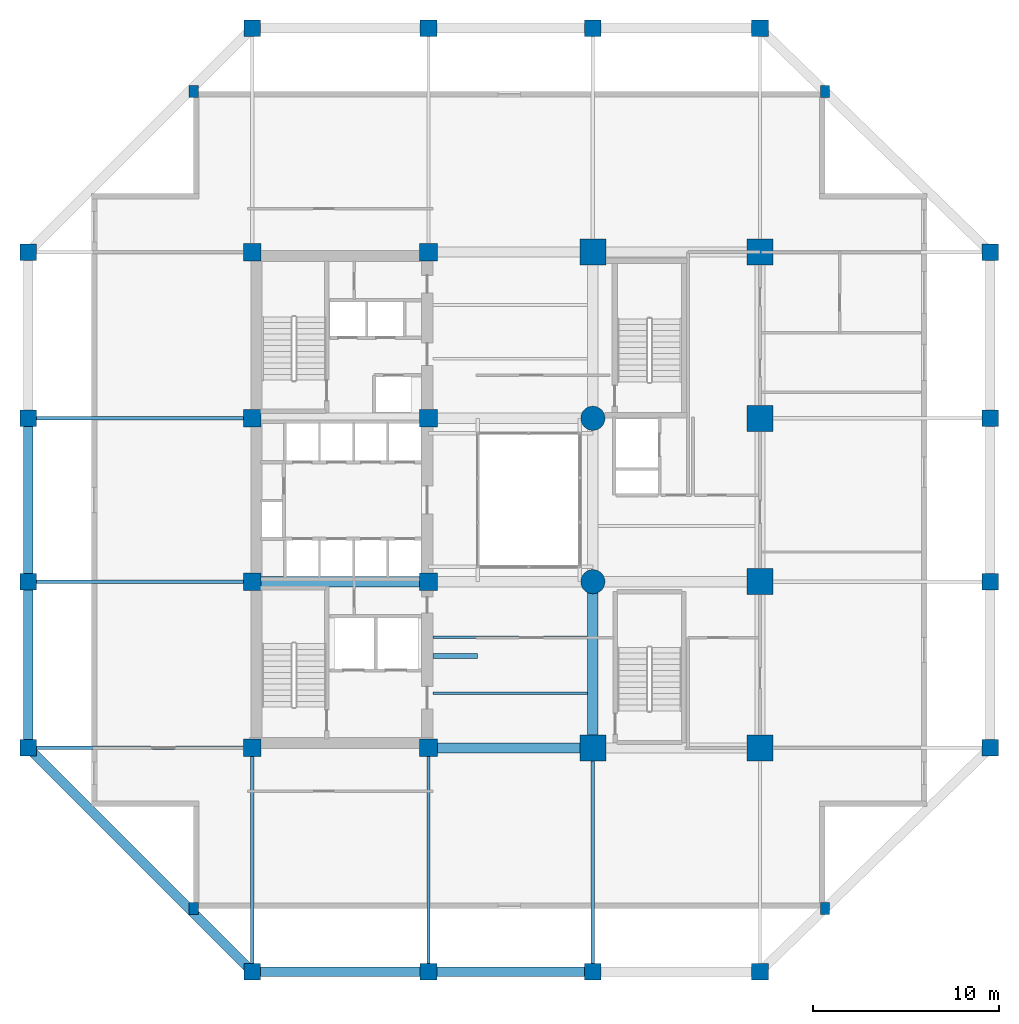
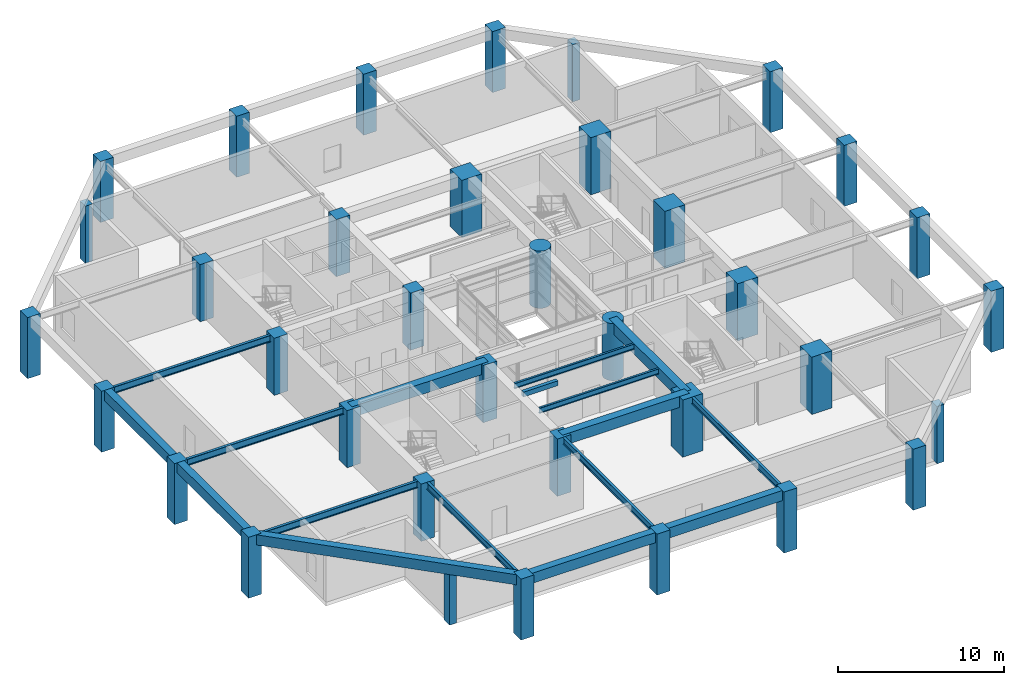
# One storey, part 1 of 10: 36 columns, 17 beams.
"""IFC4 building model written with IfcOpenShell, lengths in metres."""

from ifc_helpers import new_model, si_unit, direction, frame, origin, origin_2d, place, context, subcontext, project, spatial, rectangle, circle, i_section, extrude, material, material_profile, profile_set, type_object, element, save


model = new_model("IFC4")

# Units and contexts
model_context = context("Model", 3, precision=1e-05, world=origin(), true_north=direction((0.0, 1.0)))
body_context = subcontext(model_context, "Body", "Model", "MODEL_VIEW")
ifc_project = project(units=[si_unit("LENGTHUNIT", "METRE"), si_unit("AREAUNIT", "SQUARE_METRE"), si_unit("VOLUMEUNIT", "CUBIC_METRE"), si_unit("PLANEANGLEUNIT", "RADIAN"), si_unit("MASSUNIT", "GRAM", prefix="KILO")], contexts=[model_context])

# Site, building, storey
site_placement = place(None, origin())
site = spatial("IfcSite", under=ifc_project, at=site_placement, CompositionType="ELEMENT")
building_placement = place(site_placement, origin())
building = spatial("IfcBuilding", under=site, at=building_placement, Name="Kundavana Baori Tower", CompositionType="ELEMENT")
storey_placement = place(building_placement, frame((0.0, 0.0, 12.5)))
storey = spatial("IfcBuildingStorey", under=building, at=storey_placement, Name="L02", CompositionType="ELEMENT", Elevation=12.5)

# Columns
ifc_material_1 = material(Name="Concrete C60/75", Category="concrete")
ifc_material_profile_1 = material_profile(ifc_material_1, rectangle(XDim=0.89990234375, YDim=0.89990234375, at=origin_2d()), Name="RC PF 900x900")
ifc_profile_set_1 = profile_set([ifc_material_profile_1], Name="Concrete C60/75")
column_type_1 = type_object("IfcColumnType", Name="COL-PF-900", PredefinedType="COLUMN", material=ifc_profile_set_1)
for number, where, z_axis, x_axis, name in (
    (1, (15.449951171875, 3.199951171875, 0.0), (0.0, 0.0, 1.0), (1.0, 0.0, 0.0), "L02 Stone-Clad Perimeter Frame Column PF-S1"),
    (2, (15.449951171875, 54.0, 0.0), (0.0, 0.0, 1.0), (1.0, 0.0, 0.0), "L02 Stone-Clad Perimeter Frame Column PF-N1"),
    (3, (24.949951171875, 3.199951171875, 0.0), (0.0, 0.0, 1.0), (1.0, 0.0, 0.0), "L02 Stone-Clad Perimeter Frame Column PF-S2"),
    (4, (24.949951171875, 54.0, 0.0), (0.0, 0.0, 1.0), (1.0, 0.0, 0.0), "L02 Stone-Clad Perimeter Frame Column PF-N2"),
    (5, (33.800048828125, 3.199951171875, 0.0), (0.0, 0.0, 1.0), (1.0, 0.0, 0.0), "L02 Stone-Clad Perimeter Frame Column PF-S3"),
    (6, (33.800048828125, 54.0, 0.0), (0.0, 0.0, 1.0), (1.0, 0.0, 0.0), "L02 Stone-Clad Perimeter Frame Column PF-N3"),
    (7, (42.800048828125, 3.199951171875, 0.0), (0.0, 0.0, 1.0), (1.0, 0.0, 0.0), "L02 Stone-Clad Perimeter Frame Column PF-S4"),
    (8, (42.800048828125, 54.0, 0.0), (0.0, 0.0, 1.0), (1.0, 0.0, 0.0), "L02 Stone-Clad Perimeter Frame Column PF-N4"),
    (9, (3.39990234375, 15.25, 0.0), (0.0, 0.0, 1.0), (1.0, 0.0, 0.0), "L02 Stone-Clad Perimeter Frame Column PF-W1"),
    (10, (55.199951171875, 15.25, 0.0), (0.0, 0.0, 1.0), (1.0, 0.0, 0.0), "L02 Stone-Clad Perimeter Frame Column PF-E1"),
    (11, (3.39990234375, 24.199951171875, 0.0), (0.0, 0.0, 1.0), (1.0, 0.0, 0.0), "L02 Stone-Clad Perimeter Frame Column PF-W2"),
    (12, (55.199951171875, 24.199951171875, 0.0), (0.0, 0.0, 1.0), (1.0, 0.0, 0.0), "L02 Stone-Clad Perimeter Frame Column PF-E2"),
    (13, (3.39990234375, 33.0, 0.0), (0.0, 0.0, 1.0), (1.0, 0.0, 0.0), "L02 Stone-Clad Perimeter Frame Column PF-W3"),
    (14, (55.199951171875, 33.0, 0.0), (0.0, 0.0, 1.0), (1.0, 0.0, 0.0), "L02 Stone-Clad Perimeter Frame Column PF-E3"),
    (15, (3.39990234375, 41.949951171875, 0.0), (0.0, 0.0, 1.0), (1.0, 0.0, 0.0), "L02 Stone-Clad Perimeter Frame Column PF-W4"),
    (16, (55.199951171875, 41.949951171875, 0.0), (0.0, 0.0, 1.0), (1.0, 0.0, 0.0), "L02 Stone-Clad Perimeter Frame Column PF-E4"),
):
    element("IfcColumn", number, at=place(storey_placement, frame(where, z_axis=z_axis, x_axis=x_axis)), inside=storey, type_object=column_type_1, Name=name, PredefinedType="COLUMN", context=body_context, shape_type="SweptSolid", body=[
        extrude(rectangle(XDim=0.89990234375, YDim=0.89990234375, at=origin_2d()), origin(), (0.0, 0.0, 1.0), 4.5),
    ])
ifc_material_2 = material(Name="Concrete C50/60", Category="concrete")
ifc_material_profile_2 = material_profile(ifc_material_2, rectangle(XDim=0.5, YDim=0.64990234375, at=origin_2d()), Name="RC PIL 500x650")
ifc_profile_set_2 = profile_set([ifc_material_profile_2], Name="Concrete C50/60")
column_type_2 = type_object("IfcColumnType", Name="COL-PIL-500", PredefinedType="PILASTER", material=ifc_profile_set_2)
for number, where, z_axis, x_axis, name in (
    (17, (12.300048828125, 6.60009765625, 0.0), (0.0, 0.0, 1.0), (1.0, 0.0, 0.0), "L02 Corner Notch Pilaster 1"),
    (18, (46.300048828125, 6.60009765625, 0.0), (0.0, 0.0, 1.0), (1.0, 0.0, 0.0), "L02 Corner Notch Pilaster 2"),
    (19, (46.300048828125, 50.60009765625, 0.0), (0.0, 0.0, 1.0), (1.0, 0.0, 0.0), "L02 Corner Notch Pilaster 3"),
    (20, (12.300048828125, 50.60009765625, 0.0), (0.0, 0.0, 1.0), (1.0, 0.0, 0.0), "L02 Corner Notch Pilaster 4"),
):
    element("IfcColumn", number, at=place(storey_placement, frame(where, z_axis=z_axis, x_axis=x_axis)), inside=storey, type_object=column_type_2, Name=name, PredefinedType="PILASTER", context=body_context, shape_type="SweptSolid", body=[
        extrude(rectangle(XDim=0.5, YDim=0.64990234375, at=origin_2d()), origin(), (0.0, 0.0, 1.0), 4.219970703125),
    ])
ifc_material_3 = material(Name="Concrete C60/75", Category="concrete")
ifc_material_profile_3 = material_profile(ifc_material_3, rectangle(XDim=1.39990234375, YDim=1.39990234375, at=origin_2d()), Name="RC 1400x1400")
ifc_profile_set_3 = profile_set([ifc_material_profile_3], Name="Concrete C60/75")
column_type_3 = type_object("IfcColumnType", Name="COL-RC-1400", PredefinedType="COLUMN", material=ifc_profile_set_3)
for number, where, z_axis, x_axis, name in (
    (21, (33.800048828125, 15.25, 0.0), (0.0, 0.0, 1.0), (1.0, 0.0, 0.0), "L02 Interior Column IC-5C"),
    (22, (33.800048828125, 41.949951171875, 0.0), (0.0, 0.0, 1.0), (1.0, 0.0, 0.0), "L02 Interior Column IC-5F"),
    (23, (42.800048828125, 15.25, 0.0), (0.0, 0.0, 1.0), (1.0, 0.0, 0.0), "L02 Interior Column IC-6C"),
    (24, (42.800048828125, 24.199951171875, 0.0), (0.0, 0.0, 1.0), (1.0, 0.0, 0.0), "L02 Interior Column IC-6D"),
    (25, (42.800048828125, 33.0, 0.0), (0.0, 0.0, 1.0), (1.0, 0.0, 0.0), "L02 Interior Column IC-6E"),
    (26, (42.800048828125, 41.949951171875, 0.0), (0.0, 0.0, 1.0), (1.0, 0.0, 0.0), "L02 Interior Column IC-6F"),
):
    element("IfcColumn", number, at=place(storey_placement, frame(where, z_axis=z_axis, x_axis=x_axis)), inside=storey, type_object=column_type_3, Name=name, PredefinedType="COLUMN", context=body_context, shape_type="SweptSolid", body=[
        extrude(rectangle(XDim=1.39990234375, YDim=1.39990234375, at=origin_2d()), origin(), (0.0, 0.0, 1.0), 4.219970703125),
    ])
ifc_material_4 = material(Name="Concrete C50/60", Category="concrete")
ifc_material_profile_4 = material_profile(ifc_material_4, rectangle(XDim=0.949951171875, YDim=0.949951171875, at=origin_2d()), Name="RC 950x950")
ifc_profile_set_4 = profile_set([ifc_material_profile_4], Name="Concrete C50/60")
column_type_4 = type_object("IfcColumnType", Name="COL-RC-950", PredefinedType="COLUMN", material=ifc_profile_set_4)
for number, where, z_axis, x_axis, name in (
    (27, (15.449951171875, 15.25, 0.0), (0.0, 0.0, 1.0), (1.0, 0.0, 0.0), "L02 Interior Column IC-3C"),
    (28, (15.449951171875, 24.199951171875, 0.0), (0.0, 0.0, 1.0), (1.0, 0.0, 0.0), "L02 Interior Column IC-3D"),
    (29, (15.449951171875, 33.0, 0.0), (0.0, 0.0, 1.0), (1.0, 0.0, 0.0), "L02 Interior Column IC-3E"),
    (30, (15.449951171875, 41.949951171875, 0.0), (0.0, 0.0, 1.0), (1.0, 0.0, 0.0), "L02 Interior Column IC-3F"),
    (31, (24.949951171875, 15.25, 0.0), (0.0, 0.0, 1.0), (1.0, 0.0, 0.0), "L02 Interior Column IC-4C"),
    (32, (24.949951171875, 24.199951171875, 0.0), (0.0, 0.0, 1.0), (1.0, 0.0, 0.0), "L02 Interior Column IC-4D"),
    (33, (24.949951171875, 33.0, 0.0), (0.0, 0.0, 1.0), (1.0, 0.0, 0.0), "L02 Interior Column IC-4E"),
    (34, (24.949951171875, 41.949951171875, 0.0), (0.0, 0.0, 1.0), (1.0, 0.0, 0.0), "L02 Interior Column IC-4F"),
):
    element("IfcColumn", number, at=place(storey_placement, frame(where, z_axis=z_axis, x_axis=x_axis)), inside=storey, type_object=column_type_4, Name=name, PredefinedType="COLUMN", context=body_context, shape_type="SweptSolid", body=[
        extrude(rectangle(XDim=0.949951171875, YDim=0.949951171875, at=origin_2d()), origin(), (0.0, 0.0, 1.0), 4.219970703125),
    ])
ifc_material_5 = material(Name="Concrete C60/75", Category="concrete")
ifc_material_profile_5 = material_profile(ifc_material_5, circle(Radius=0.64990234375, at=origin_2d()), Name="RC D1300")
ifc_profile_set_5 = profile_set([ifc_material_profile_5], Name="Concrete C60/75")
column_type_5 = type_object("IfcColumnType", Name="COL-RC-D1300", PredefinedType="COLUMN", material=ifc_profile_set_5)
for number, where, z_axis, x_axis, name in (
    (35, (33.800048828125, 24.199951171875, 0.0), (0.0, 0.0, 1.0), (1.0, 0.0, 0.0), "L02 Interior Column IC-5D"),
    (36, (33.800048828125, 33.0, 0.0), (0.0, 0.0, 1.0), (1.0, 0.0, 0.0), "L02 Interior Column IC-5E"),
):
    element("IfcColumn", number, at=place(storey_placement, frame(where, z_axis=z_axis, x_axis=x_axis)), inside=storey, type_object=column_type_5, Name=name, PredefinedType="COLUMN", context=body_context, shape_type="SweptSolid", body=[
        extrude(circle(Radius=0.64990234375, at=origin_2d()), origin(), (0.0, 0.0, 1.0), 4.219970703125),
    ])

# Beams
ifc_material_6 = material(Name="Structural Steel S355JR", Category="steel")
ifc_material_profile_6 = material_profile(ifc_material_6, i_section(OverallWidth=0.139892578125, OverallDepth=0.39990234375, WebThickness=0.0087890625, FlangeThickness=0.01611328125, FilletRadius=0.013916015625, at=origin_2d()), Name="ISMB 400")
ifc_profile_set_6 = profile_set([ifc_material_profile_6], Name="Structural Steel S355JR")
beam_type_1 = type_object("IfcBeamType", Name="BM-JST-400", PredefinedType="JOIST", material=ifc_profile_set_6)
for number, where, z_axis, x_axis, name in (
    (37, (25.179931640625, 18.199951171875, 4.02001953125), (1.0, 0.0, 0.0), (0.0, 1.0, 0.0), "L02 Central Bay Composite Floor Joist C1"),
    (38, (25.179931640625, 21.199951171875, 4.02001953125), (1.0, 0.0, 0.0), (0.0, 1.0, 0.0), "L02 Central Bay Composite Floor Joist C2"),
):
    element("IfcBeam", number, at=place(storey_placement, frame(where, z_axis=z_axis, x_axis=x_axis)), inside=storey, type_object=beam_type_1, Name=name, PredefinedType="JOIST", context=body_context, shape_type="SweptSolid", body=[
        extrude(i_section(OverallWidth=0.139892578125, OverallDepth=0.39990234375, WebThickness=0.0087890625, FlangeThickness=0.01611328125, FilletRadius=0.013916015625, at=origin_2d()), origin(), (0.0, 0.0, 1.0), 8.344970703125),
    ])
ifc_material_7 = material(Name="Concrete C40/50", Category="concrete")
ifc_material_profile_7 = material_profile(ifc_material_7, rectangle(XDim=0.25, YDim=0.35009765625, at=origin_2d()), Name="RC LNT 250x350")
ifc_profile_set_7 = profile_set([ifc_material_profile_7], Name="Concrete C40/50")
beam_type_2 = type_object("IfcBeamType", Name="BM-LNT-350", PredefinedType="LINTEL", material=ifc_profile_set_7)
beam_1_placement = place(storey_placement, frame((25.179931640625, 20.199951171875, 4.044921875), z_axis=(1.0, 0.0, 0.0), x_axis=(0.0, 1.0, 0.0)))
element("IfcBeam", 39, at=beam_1_placement, inside=storey, type_object=beam_type_2, Name="L02 Atrium Gallery Portal Lintel Beam", PredefinedType="LINTEL", context=body_context, shape_type="SweptSolid", body=[
    extrude(rectangle(XDim=0.25, YDim=0.35009765625, at=origin_2d()), origin(), (0.0, 0.0, 1.0), 2.420166015625),
])
ifc_material_8 = material(Name="Concrete C50/60", Category="concrete")
ifc_material_profile_8 = material_profile(ifc_material_8, rectangle(XDim=0.5, YDim=0.75, at=origin_2d()), Name="RC BM 500x750")
ifc_profile_set_8 = profile_set([ifc_material_profile_8], Name="Concrete C50/60")
beam_type_3 = type_object("IfcBeamType", Name="BM-PF-750", PredefinedType="SPANDREL", material=ifc_profile_set_8)
beam_2_placement = place(storey_placement, frame((15.449951171875, 3.199951171875, 4.125), z_axis=(1.0, 0.0, 0.0), x_axis=(0.0, 1.0, 0.0)))
element("IfcBeam", 40, at=beam_2_placement, inside=storey, type_object=beam_type_3, Name="L02 Perimeter Frame Ring Beam S1", PredefinedType="SPANDREL", context=body_context, shape_type="SweptSolid", body=[
    extrude(rectangle(XDim=0.5, YDim=0.75, at=origin_2d()), origin(), (0.0, 0.0, 1.0), 9.5),
])
beam_3_placement = place(storey_placement, frame((24.949951171875, 3.199951171875, 4.125), z_axis=(1.0, 0.0, 0.0), x_axis=(0.0, 1.0, 0.0)))
element("IfcBeam", 41, at=beam_3_placement, inside=storey, type_object=beam_type_3, Name="L02 Perimeter Frame Ring Beam S2", PredefinedType="SPANDREL", context=body_context, shape_type="SweptSolid", body=[
    extrude(rectangle(XDim=0.5, YDim=0.75, at=origin_2d()), origin(), (0.0, 0.0, 1.0), 8.85009765625),
])
beam_4_placement = place(storey_placement, frame((3.39990234375, 15.25, 4.125), z_axis=(0.0, 1.0, 0.0), x_axis=(-1.0, 0.0, 0.0)))
element("IfcBeam", 42, at=beam_4_placement, inside=storey, type_object=beam_type_3, Name="L02 Perimeter Frame Ring Beam W1", PredefinedType="SPANDREL", context=body_context, shape_type="SweptSolid", body=[
    extrude(rectangle(XDim=0.5, YDim=0.75, at=origin_2d()), origin(), (0.0, 0.0, 1.0), 8.949951171875),
])
beam_5_placement = place(storey_placement, frame((3.39990234375, 24.199951171875, 4.125), z_axis=(0.0, 1.0, 0.0), x_axis=(-1.0, 0.0, 0.0)))
element("IfcBeam", 43, at=beam_5_placement, inside=storey, type_object=beam_type_3, Name="L02 Perimeter Frame Ring Beam W2", PredefinedType="SPANDREL", context=body_context, shape_type="SweptSolid", body=[
    extrude(rectangle(XDim=0.5, YDim=0.75, at=origin_2d()), origin(), (0.0, 0.0, 1.0), 8.800048828125),
])
beam_6_placement = place(storey_placement, frame((15.449951171875, 3.199951171875, 4.125), z_axis=(-0.707106781187, 0.707106781187, 0.0), x_axis=(-0.707106781187, -0.707106781187, 0.0)))
element("IfcBeam", 44, at=beam_6_placement, inside=storey, type_object=beam_type_3, Name="L02 Notched Corner Perimeter Beam SW", PredefinedType="SPANDREL", context=body_context, shape_type="SweptSolid", body=[
    extrude(rectangle(XDim=0.5, YDim=0.75, at=origin_2d()), origin(), (0.0, 0.0, 1.0), 17.041259765625),
])
ifc_material_9 = material(Name="Concrete C50/60", Category="concrete")
ifc_material_profile_9 = material_profile(ifc_material_9, rectangle(XDim=0.550048828125, YDim=0.800048828125, at=origin_2d()), Name="RC BM 550x800")
ifc_profile_set_9 = profile_set([ifc_material_profile_9], Name="Concrete C50/60")
beam_type_4 = type_object("IfcBeamType", Name="BM-RC-800", PredefinedType="BEAM", material=ifc_profile_set_9)
beam_7_placement = place(storey_placement, frame((24.949951171875, 15.25, 3.820068359375), z_axis=(1.0, 0.0, 0.0), x_axis=(0.0, 1.0, 0.0)))
element("IfcBeam", 45, at=beam_7_placement, inside=storey, type_object=beam_type_4, Name="L02 Primary Grid Girder GX-1-2", PredefinedType="BEAM", context=body_context, shape_type="SweptSolid", body=[
    extrude(rectangle(XDim=0.550048828125, YDim=0.800048828125, at=origin_2d()), origin(), (0.0, 0.0, 1.0), 8.85009765625),
])
beam_8_placement = place(storey_placement, frame((15.449951171875, 24.199951171875, 3.820068359375), z_axis=(1.0, 0.0, 0.0), x_axis=(0.0, 1.0, 0.0)))
element("IfcBeam", 46, at=beam_8_placement, inside=storey, type_object=beam_type_4, Name="L02 Primary Grid Girder GX-2-1", PredefinedType="BEAM", context=body_context, shape_type="SweptSolid", body=[
    extrude(rectangle(XDim=0.550048828125, YDim=0.800048828125, at=origin_2d()), origin(), (0.0, 0.0, 1.0), 9.5),
])
beam_9_placement = place(storey_placement, frame((33.800048828125, 15.25, 3.820068359375), z_axis=(0.0, 1.0, 0.0), x_axis=(-1.0, 0.0, 0.0)))
element("IfcBeam", 47, at=beam_9_placement, inside=storey, type_object=beam_type_4, Name="L02 Primary Grid Girder GY-3-1", PredefinedType="BEAM", context=body_context, shape_type="SweptSolid", body=[
    extrude(rectangle(XDim=0.550048828125, YDim=0.800048828125, at=origin_2d()), origin(), (0.0, 0.0, 1.0), 8.949951171875),
])
ifc_material_10 = material(Name="Structural Steel S355JR", Category="steel")
ifc_material_profile_10 = material_profile(ifc_material_10, i_section(OverallWidth=0.179931640625, OverallDepth=0.5, WebThickness=0.01025390625, FlangeThickness=0.01708984375, FilletRadius=0.01708984375, at=origin_2d()), Name="ISMB 500")
ifc_profile_set_10 = profile_set([ifc_material_profile_10], Name="Structural Steel S355JR")
beam_type_5 = type_object("IfcBeamType", Name="BM-TIE-500", PredefinedType="BEAM", material=ifc_profile_set_10)
for number, where, z_axis, x_axis, name in (
    (48, (15.449951171875, 15.25, 3.969970703125), (0.0, -1.0, 0.0), (1.0, 0.0, 0.0), "L02 South Radial Loggia Tie Beam S1"),
    (49, (24.949951171875, 15.25, 3.969970703125), (0.0, -1.0, 0.0), (1.0, 0.0, 0.0), "L02 South Radial Loggia Tie Beam S2"),
    (50, (33.800048828125, 15.25, 3.969970703125), (0.0, -1.0, 0.0), (1.0, 0.0, 0.0), "L02 South Radial Loggia Tie Beam S3"),
    (51, (15.449951171875, 15.25, 3.969970703125), (-1.0, 0.0, 0.0), (0.0, -1.0, 0.0), "L02 West Radial Loggia Tie Beam W1"),
    (52, (15.449951171875, 24.199951171875, 3.969970703125), (-1.0, 0.0, 0.0), (0.0, -1.0, 0.0), "L02 West Radial Loggia Tie Beam W2"),
    (53, (15.449951171875, 33.0, 3.969970703125), (-1.0, 0.0, 0.0), (0.0, -1.0, 0.0), "L02 West Radial Loggia Tie Beam W3"),
):
    element("IfcBeam", number, at=place(storey_placement, frame(where, z_axis=z_axis, x_axis=x_axis)), inside=storey, type_object=beam_type_5, Name=name, PredefinedType="BEAM", context=body_context, shape_type="SweptSolid", body=[
        extrude(i_section(OverallWidth=0.179931640625, OverallDepth=0.5, WebThickness=0.01025390625, FlangeThickness=0.01708984375, FilletRadius=0.01708984375, at=origin_2d()), origin(), (0.0, 0.0, 1.0), 12.050048828125),
    ])

save(model, "model.ifc")
